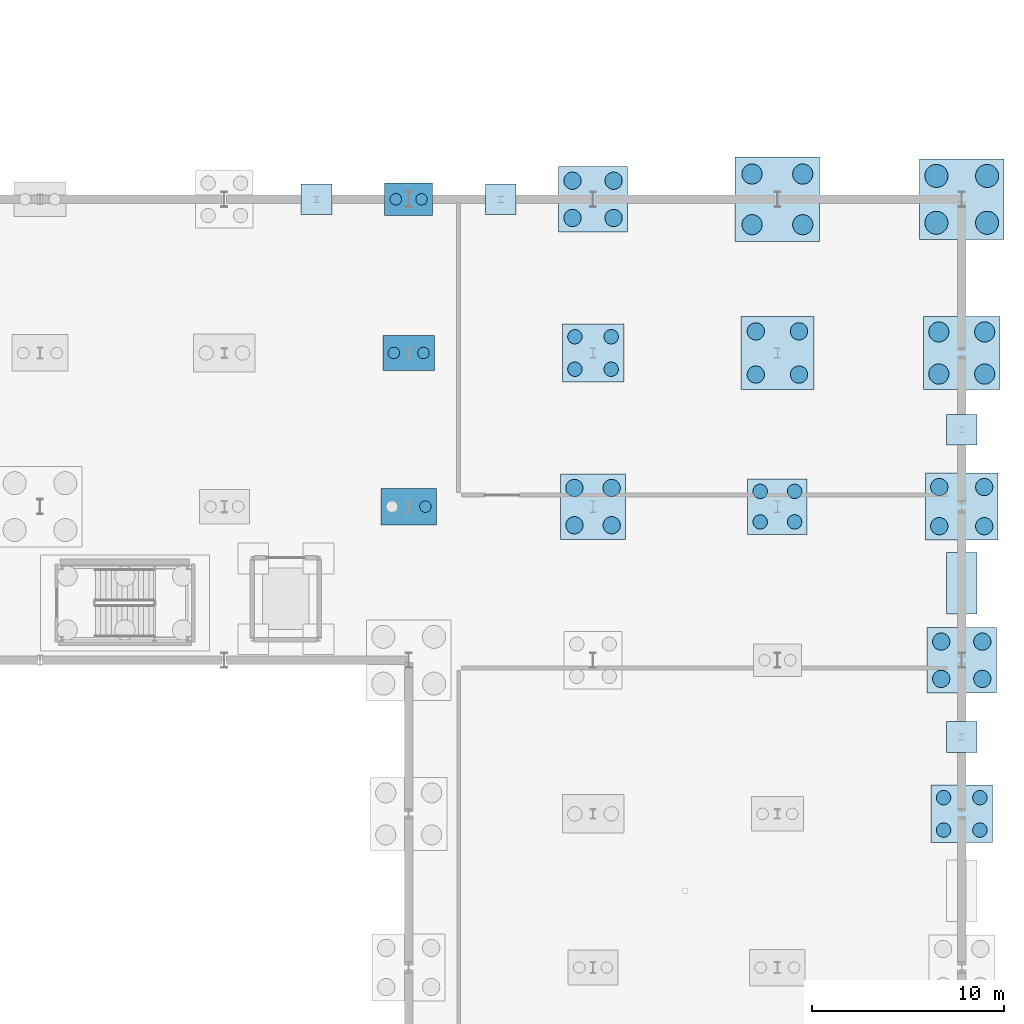
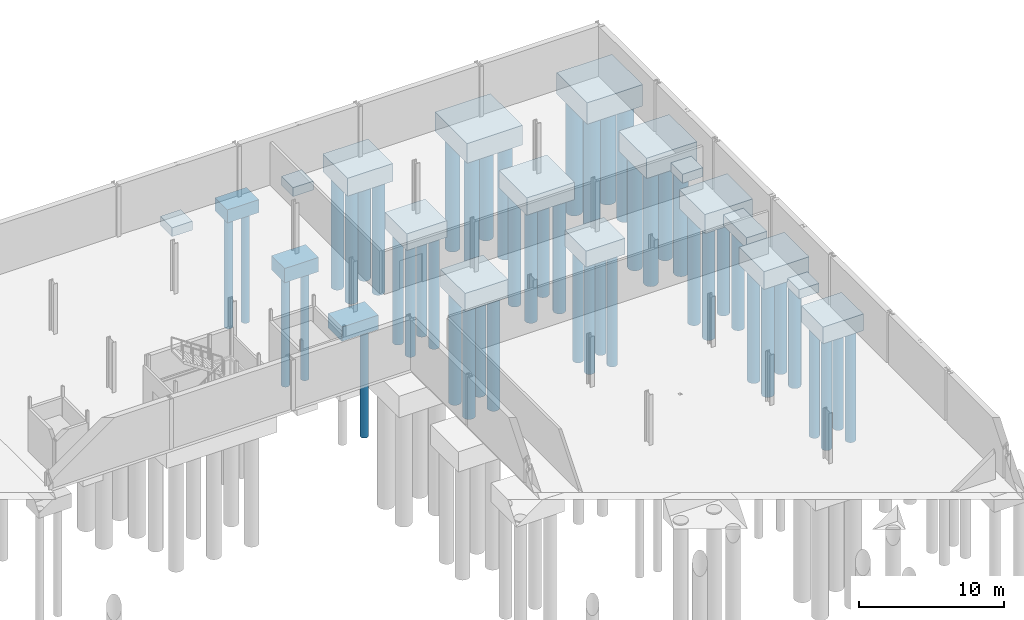
# One storey, part 7 of 47: 49 piles, 19 footings.
"""IFC4 building model written with IfcOpenShell, lengths in metres."""

from ifc_helpers import new_model, si_unit, direction, frame, origin, origin_2d, place, context, subcontext, project, spatial, rectangle, circle, extrude, material, material_profile, profile_set, type_object, element, save


model = new_model("IFC4")

# Units and contexts
model_context = context("Model", 3, precision=1e-05, world=origin(), true_north=direction((0.0, 1.0)))
body_context = subcontext(model_context, "Body", "Model", "MODEL_VIEW")
ifc_project = project(units=[si_unit("LENGTHUNIT", "METRE"), si_unit("AREAUNIT", "SQUARE_METRE"), si_unit("VOLUMEUNIT", "CUBIC_METRE"), si_unit("PLANEANGLEUNIT", "RADIAN"), si_unit("MASSUNIT", "GRAM", prefix="KILO")], contexts=[model_context])

# Site, building, storey
site_placement = place(None, origin())
site = spatial("IfcSite", under=ifc_project, at=site_placement, CompositionType="ELEMENT")
building_placement = place(site_placement, origin())
building = spatial("IfcBuilding", under=site, at=building_placement, Name="Alderhovde Museum", CompositionType="ELEMENT")
storey_placement = place(building_placement, frame((0.0, 0.0, -4.5)))
storey = spatial("IfcBuildingStorey", under=building, at=storey_placement, Name="B1", CompositionType="ELEMENT", Elevation=-4.5)

# Footings
ifc_material_1 = material(Name="Concrete C40/50", Category="concrete")
footing_type_1 = type_object("IfcFootingType", Name="PC-2500x1700x1100", PredefinedType="PILE_CAP", material=ifc_material_1)
footing_1_placement = place(storey_placement, frame((144.0, 96.0, -1.5), z_axis=(0.0, 0.0, 1.0), x_axis=(1.0, 0.0, 0.0)))
element("IfcFooting", 1, at=footing_1_placement, inside=storey, type_object=footing_type_1, Name="Pile Cap at (144.0, 96.0)", PredefinedType="PILE_CAP", context=body_context, shape_type="SweptSolid", body=[
    extrude(rectangle(XDim=2.5, YDim=1.699951171875, at=origin_2d()), origin(), (0.0, 0.0, 1.0), 1.10009765625),
])
ifc_material_2 = material(Name="Concrete C40/50", Category="concrete")
footing_type_2 = type_object("IfcFootingType", Name="PC-2700x1800x1200", PredefinedType="PILE_CAP", material=ifc_material_2)
footing_2_placement = place(storey_placement, frame((144.0, 88.0, -1.60009765625), z_axis=(0.0, 0.0, 1.0), x_axis=(1.0, 0.0, 0.0)))
element("IfcFooting", 2, at=footing_2_placement, inside=storey, type_object=footing_type_2, Name="Pile Cap at (144.0, 88.0)", PredefinedType="PILE_CAP", context=body_context, shape_type="SweptSolid", body=[
    extrude(rectangle(XDim=2.699951171875, YDim=1.800048828125, at=origin_2d()), origin(), (0.0, 0.0, 1.0), 1.199951171875),
])
ifc_material_3 = material(Name="Concrete C40/50", Category="concrete")
footing_type_3 = type_object("IfcFootingType", Name="PC-2900x1900x1200", PredefinedType="PILE_CAP", material=ifc_material_3)
footing_3_placement = place(storey_placement, frame((144.0, 80.0, -1.60009765625), z_axis=(0.0, 0.0, 1.0), x_axis=(1.0, 0.0, 0.0)))
element("IfcFooting", 3, at=footing_3_placement, inside=storey, type_object=footing_type_3, Name="Pile Cap at (144.0, 80.0)", PredefinedType="PILE_CAP", context=body_context, shape_type="SweptSolid", body=[
    extrude(rectangle(XDim=2.89990234375, YDim=1.89990234375, at=origin_2d()), origin(), (0.0, 0.0, 1.0), 1.199951171875),
])
ifc_material_4 = material(Name="Concrete C40/50", Category="concrete")
footing_type_4 = type_object("IfcFootingType", Name="PC-3100x2900x1350", PredefinedType="PILE_CAP", material=ifc_material_4)
footing_4_placement = place(storey_placement, frame((163.199951171875, 80.0, -1.75), z_axis=(0.0, 0.0, 1.0), x_axis=(1.0, 0.0, 0.0)))
element("IfcFooting", 4, at=footing_4_placement, inside=storey, type_object=footing_type_4, Name="Pile Cap at (163.2, 80.0)", PredefinedType="PILE_CAP", context=body_context, shape_type="SweptSolid", body=[
    extrude(rectangle(XDim=3.10009765625, YDim=2.89990234375, at=origin_2d()), origin(), (0.0, 0.0, 1.0), 1.35009765625),
])
ifc_material_5 = material(Name="Concrete C40/50", Category="concrete")
footing_type_5 = type_object("IfcFootingType", Name="PC-3200x3000x1400", PredefinedType="PILE_CAP", material=ifc_material_5)
for number, where, z_axis, x_axis, name in (
    (5, (153.60009765625, 88.0, -1.800048828125), (0.0, 0.0, 1.0), (1.0, 0.0, 0.0), "Pile Cap at (153.6, 88.0)"),
    (6, (172.800048828125, 64.0, -1.800048828125), (0.0, 0.0, 1.0), (1.0, 0.0, 0.0), "Pile Cap at (172.8, 64.0)"),
):
    element("IfcFooting", number, at=place(storey_placement, frame(where, z_axis=z_axis, x_axis=x_axis)), inside=storey, type_object=footing_type_5, Name=name, PredefinedType="PILE_CAP", context=body_context, shape_type="SweptSolid", body=[
        extrude(rectangle(XDim=3.199951171875, YDim=3.0, at=origin_2d()), origin(), (0.0, 0.0, 1.0), 1.39990234375),
    ])
ifc_material_6 = material(Name="Concrete C40/50", Category="concrete")
footing_type_6 = type_object("IfcFootingType", Name="PC-3400x3400x1500", PredefinedType="PILE_CAP", material=ifc_material_6)
footing_5_placement = place(storey_placement, frame((153.60009765625, 80.0, -1.89990234375), z_axis=(0.0, 0.0, 1.0), x_axis=(1.0, 0.0, 0.0)))
element("IfcFooting", 7, at=footing_5_placement, inside=storey, type_object=footing_type_6, Name="Pile Cap at (153.6, 80.0)", PredefinedType="PILE_CAP", context=body_context, shape_type="SweptSolid", body=[
    extrude(rectangle(XDim=3.39990234375, YDim=3.39990234375, at=origin_2d()), origin(), (0.0, 0.0, 1.0), 1.5),
])
ifc_material_7 = material(Name="Concrete C40/50", Category="concrete")
footing_type_7 = type_object("IfcFootingType", Name="PC-3600x3400x1500", PredefinedType="PILE_CAP", material=ifc_material_7)
for number, where, z_axis, x_axis, name in (
    (8, (153.60009765625, 96.0, -1.89990234375), (0.0, 0.0, 1.0), (1.0, 0.0, 0.0), "Pile Cap at (153.6, 96.0)"),
    (9, (172.800048828125, 72.0, -1.89990234375), (0.0, 0.0, 1.0), (1.0, 0.0, 0.0), "Pile Cap at (172.8, 72.0)"),
):
    element("IfcFooting", number, at=place(storey_placement, frame(where, z_axis=z_axis, x_axis=x_axis)), inside=storey, type_object=footing_type_7, Name=name, PredefinedType="PILE_CAP", context=body_context, shape_type="SweptSolid", body=[
        extrude(rectangle(XDim=3.60009765625, YDim=3.39990234375, at=origin_2d()), origin(), (0.0, 0.0, 1.0), 1.5),
    ])
ifc_material_8 = material(Name="Concrete C40/50", Category="concrete")
footing_type_8 = type_object("IfcFootingType", Name="PC-3800x3500x1600", PredefinedType="PILE_CAP", material=ifc_material_8)
footing_6_placement = place(storey_placement, frame((172.800048828125, 80.0, -2.0), z_axis=(0.0, 0.0, 1.0), x_axis=(1.0, 0.0, 0.0)))
element("IfcFooting", 10, at=footing_6_placement, inside=storey, type_object=footing_type_8, Name="Pile Cap at (172.8, 80.0)", PredefinedType="PILE_CAP", context=body_context, shape_type="SweptSolid", body=[
    extrude(rectangle(XDim=3.800048828125, YDim=3.5, at=origin_2d()), origin(), (0.0, 0.0, 1.0), 1.60009765625),
])
ifc_material_9 = material(Name="Concrete C40/50", Category="concrete")
footing_type_9 = type_object("IfcFootingType", Name="PC-3800x3800x1450", PredefinedType="PILE_CAP", material=ifc_material_9)
footing_7_placement = place(storey_placement, frame((163.199951171875, 88.0, -1.85009765625), z_axis=(0.0, 0.0, 1.0), x_axis=(1.0, 0.0, 0.0)))
element("IfcFooting", 11, at=footing_7_placement, inside=storey, type_object=footing_type_9, Name="Pile Cap at (163.2, 88.0)", PredefinedType="PILE_CAP", context=body_context, shape_type="SweptSolid", body=[
    extrude(rectangle(XDim=3.800048828125, YDim=3.800048828125, at=origin_2d()), origin(), (0.0, 0.0, 1.0), 1.449951171875),
])
ifc_material_10 = material(Name="Concrete C40/50", Category="concrete")
footing_type_10 = type_object("IfcFootingType", Name="PC-4000x3800x1700", PredefinedType="PILE_CAP", material=ifc_material_10)
footing_8_placement = place(storey_placement, frame((172.800048828125, 88.0, -2.10009765625), z_axis=(0.0, 0.0, 1.0), x_axis=(1.0, 0.0, 0.0)))
element("IfcFooting", 12, at=footing_8_placement, inside=storey, type_object=footing_type_10, Name="Pile Cap at (172.8, 88.0)", PredefinedType="PILE_CAP", context=body_context, shape_type="SweptSolid", body=[
    extrude(rectangle(XDim=4.0, YDim=3.800048828125, at=origin_2d()), origin(), (0.0, 0.0, 1.0), 1.699951171875),
])
ifc_material_11 = material(Name="Concrete C40/50", Category="concrete")
footing_type_11 = type_object("IfcFootingType", Name="PC-4400x4200x1800", PredefinedType="PILE_CAP", material=ifc_material_11)
footing_9_placement = place(storey_placement, frame((172.800048828125, 96.0, -2.2001953125), z_axis=(0.0, 0.0, 1.0), x_axis=(1.0, 0.0, 0.0)))
element("IfcFooting", 13, at=footing_9_placement, inside=storey, type_object=footing_type_11, Name="Pile Cap at (172.8, 96.0)", PredefinedType="PILE_CAP", context=body_context, shape_type="SweptSolid", body=[
    extrude(rectangle(XDim=4.39990234375, YDim=4.199951171875, at=origin_2d()), origin(), (0.0, 0.0, 1.0), 1.800048828125),
])
ifc_material_12 = material(Name="Concrete C40/50", Category="concrete")
footing_type_12 = type_object("IfcFootingType", Name="PC-4400x4400x1650", PredefinedType="PILE_CAP", material=ifc_material_12)
footing_10_placement = place(storey_placement, frame((163.199951171875, 96.0, -2.050048828125), z_axis=(0.0, 0.0, 1.0), x_axis=(1.0, 0.0, 0.0)))
element("IfcFooting", 14, at=footing_10_placement, inside=storey, type_object=footing_type_12, Name="Pile Cap at (163.2, 96.0)", PredefinedType="PILE_CAP", context=body_context, shape_type="SweptSolid", body=[
    extrude(rectangle(XDim=4.39990234375, YDim=4.39990234375, at=origin_2d()), origin(), (0.0, 0.0, 1.0), 1.64990234375),
])
ifc_material_13 = material(Name="Concrete C40/50", Category="concrete")
footing_type_13 = type_object("IfcFootingType", Name="PF-1600x1600x750", PredefinedType="PAD_FOOTING", material=ifc_material_13)
for number, where, z_axis, x_axis, name in (
    (15, (172.800048828125, 68.0, -1.14990234375), (0.0, 0.0, 1.0), (1.0, 0.0, 0.0), "Pilaster Pad Footing (172.8, 68.0)"),
    (16, (172.800048828125, 84.0, -1.14990234375), (0.0, 0.0, 1.0), (1.0, 0.0, 0.0), "Pilaster Pad Footing (172.8, 84.0)"),
    (17, (139.199951171875, 96.0, -1.14990234375), (0.0, 0.0, 1.0), (1.0, 0.0, 0.0), "Pilaster Pad Footing (139.2, 96.0)"),
    (18, (148.800048828125, 96.0, -1.14990234375), (0.0, 0.0, 1.0), (1.0, 0.0, 0.0), "Pilaster Pad Footing (148.8, 96.0)"),
):
    element("IfcFooting", number, at=place(storey_placement, frame(where, z_axis=z_axis, x_axis=x_axis)), inside=storey, type_object=footing_type_13, Name=name, PredefinedType="PAD_FOOTING", context=body_context, shape_type="SweptSolid", body=[
        extrude(rectangle(XDim=1.60009765625, YDim=1.60009765625, at=origin_2d()), origin(), (0.0, 0.0, 1.0), 0.75),
    ])

# Piles
ifc_material_14 = material(Name="Concrete C40/50", Category="concrete")
ifc_material_profile_1 = material_profile(ifc_material_14, circle(Radius=0.52490234375, at=origin_2d()), Name="PILE-D1050")
ifc_profile_set_1 = profile_set([ifc_material_profile_1], Name="Concrete C40/50")
pile_type_1 = type_object("IfcPileType", Name="PIL-D1050", PredefinedType="BORED", material=ifc_profile_set_1)
for number, where, z_axis, x_axis, name in (
    (19, (161.8798828125, 94.679931640625, -1.949951171875), (0.0, 0.0, -1.0), (1.0, 0.0, 0.0), "Bored Pile PC-1632-0960-P1"),
    (20, (164.52001953125, 94.679931640625, -1.949951171875), (0.0, 0.0, -1.0), (1.0, 0.0, 0.0), "Bored Pile PC-1632-0960-P2"),
    (21, (161.8798828125, 97.320068359375, -1.949951171875), (0.0, 0.0, -1.0), (1.0, 0.0, 0.0), "Bored Pile PC-1632-0960-P3"),
    (22, (164.52001953125, 97.320068359375, -1.949951171875), (0.0, 0.0, -1.0), (1.0, 0.0, 0.0), "Bored Pile PC-1632-0960-P4"),
):
    element("IfcPile", number, at=place(storey_placement, frame(where, z_axis=z_axis, x_axis=x_axis)), inside=storey, type_object=pile_type_1, Name=name, PredefinedType="BORED", context=body_context, shape_type="SweptSolid", body=[
        extrude(circle(Radius=0.52490234375, at=origin_2d()), origin(), (0.0, 0.0, 1.0), 9.625),
    ])
for number, where, z_axis, x_axis, name in (
    (23, (171.60498046875, 86.905029296875, -2.0), (0.0, 0.0, -1.0), (1.0, 0.0, 0.0), "Bored Pile PC-1728-0880-P1"),
    (24, (173.9951171875, 86.905029296875, -2.0), (0.0, 0.0, -1.0), (1.0, 0.0, 0.0), "Bored Pile PC-1728-0880-P2"),
    (25, (171.60498046875, 89.094970703125, -2.0), (0.0, 0.0, -1.0), (1.0, 0.0, 0.0), "Bored Pile PC-1728-0880-P3"),
    (26, (173.9951171875, 89.094970703125, -2.0), (0.0, 0.0, -1.0), (1.0, 0.0, 0.0), "Bored Pile PC-1728-0880-P4"),
):
    element("IfcPile", number, at=place(storey_placement, frame(where, z_axis=z_axis, x_axis=x_axis)), inside=storey, type_object=pile_type_1, Name=name, PredefinedType="BORED", context=body_context, shape_type="SweptSolid", body=[
        extrude(circle(Radius=0.52490234375, at=origin_2d()), origin(), (0.0, 0.0, 1.0), 9.574951171875),
    ])
ifc_material_15 = material(Name="Concrete C40/50", Category="concrete")
ifc_material_profile_2 = material_profile(ifc_material_15, circle(Radius=0.60009765625, at=origin_2d()), Name="PILE-D1200")
ifc_profile_set_2 = profile_set([ifc_material_profile_2], Name="Concrete C40/50")
pile_type_2 = type_object("IfcPileType", Name="PIL-D1200", PredefinedType="BORED", material=ifc_profile_set_2)
for number, where, z_axis, x_axis, name in (
    (27, (171.47998046875, 94.780029296875, -2.10009765625), (0.0, 0.0, -1.0), (1.0, 0.0, 0.0), "Bored Pile PC-1728-0960-P1"),
    (28, (174.1201171875, 94.780029296875, -2.10009765625), (0.0, 0.0, -1.0), (1.0, 0.0, 0.0), "Bored Pile PC-1728-0960-P2"),
    (29, (171.47998046875, 97.219970703125, -2.10009765625), (0.0, 0.0, -1.0), (1.0, 0.0, 0.0), "Bored Pile PC-1728-0960-P3"),
    (30, (174.1201171875, 97.219970703125, -2.10009765625), (0.0, 0.0, -1.0), (1.0, 0.0, 0.0), "Bored Pile PC-1728-0960-P4"),
):
    element("IfcPile", number, at=place(storey_placement, frame(where, z_axis=z_axis, x_axis=x_axis)), inside=storey, type_object=pile_type_2, Name=name, PredefinedType="BORED", context=body_context, shape_type="SweptSolid", body=[
        extrude(circle(Radius=0.60009765625, at=origin_2d()), origin(), (0.0, 0.0, 1.0), 9.699951171875),
    ])
ifc_material_16 = material(Name="Concrete C40/50", Category="concrete")
ifc_material_profile_3 = material_profile(ifc_material_16, circle(Radius=0.300048828125, at=origin_2d()), Name="PILE-D600")
ifc_profile_set_3 = profile_set([ifc_material_profile_3], Name="Concrete C40/50")
pile_type_3 = type_object("IfcPileType", Name="PIL-D600", PredefinedType="BORED", material=ifc_profile_set_3)
for number, where, z_axis, x_axis, name in (
    (31, (144.8701171875, 80.0, -1.5), (0.0, 0.0, -1.0), (1.0, 0.0, 0.0), "Bored Pile PC-1440-0800-P2"),
    (32, (143.22998046875, 88.0, -1.5), (0.0, 0.0, -1.0), (1.0, 0.0, 0.0), "Bored Pile PC-1440-0880-P1"),
    (33, (144.77001953125, 88.0, -1.5), (0.0, 0.0, -1.0), (1.0, 0.0, 0.0), "Bored Pile PC-1440-0880-P2"),
):
    element("IfcPile", number, at=place(storey_placement, frame(where, z_axis=z_axis, x_axis=x_axis)), inside=storey, type_object=pile_type_3, Name=name, PredefinedType="BORED", context=body_context, shape_type="SweptSolid", body=[
        extrude(circle(Radius=0.300048828125, at=origin_2d()), origin(), (0.0, 0.0, 1.0), 9.39990234375),
    ])
for number, where, z_axis, x_axis, name in (
    (34, (143.330078125, 96.0, -1.39990234375), (0.0, 0.0, -1.0), (1.0, 0.0, 0.0), "Bored Pile PC-1440-0960-P1"),
    (35, (144.669921875, 96.0, -1.39990234375), (0.0, 0.0, -1.0), (1.0, 0.0, 0.0), "Bored Pile PC-1440-0960-P2"),
):
    element("IfcPile", number, at=place(storey_placement, frame(where, z_axis=z_axis, x_axis=x_axis)), inside=storey, type_object=pile_type_3, Name=name, PredefinedType="BORED", context=body_context, shape_type="SweptSolid", body=[
        extrude(circle(Radius=0.300048828125, at=origin_2d()), origin(), (0.0, 0.0, 1.0), 9.5),
    ])
ifc_material_17 = material(Name="Concrete C40/50", Category="concrete")
ifc_material_profile_4 = material_profile(ifc_material_17, circle(Radius=0.375, at=origin_2d()), Name="PILE-D750")
ifc_profile_set_4 = profile_set([ifc_material_profile_4], Name="Concrete C40/50")
pile_type_4 = type_object("IfcPileType", Name="PIL-D750", PredefinedType="BORED", material=ifc_profile_set_4)
for number, where, z_axis, x_axis, name in (
    (36, (152.655029296875, 87.155029296875, -1.699951171875), (0.0, 0.0, -1.0), (1.0, 0.0, 0.0), "Bored Pile PC-1536-0880-P1"),
    (37, (154.544921875, 87.155029296875, -1.699951171875), (0.0, 0.0, -1.0), (1.0, 0.0, 0.0), "Bored Pile PC-1536-0880-P2"),
    (38, (152.655029296875, 88.844970703125, -1.699951171875), (0.0, 0.0, -1.0), (1.0, 0.0, 0.0), "Bored Pile PC-1536-0880-P3"),
    (39, (154.544921875, 88.844970703125, -1.699951171875), (0.0, 0.0, -1.0), (1.0, 0.0, 0.0), "Bored Pile PC-1536-0880-P4"),
):
    element("IfcPile", number, at=place(storey_placement, frame(where, z_axis=z_axis, x_axis=x_axis)), inside=storey, type_object=pile_type_4, Name=name, PredefinedType="BORED", context=body_context, shape_type="SweptSolid", body=[
        extrude(circle(Radius=0.375, at=origin_2d()), origin(), (0.0, 0.0, 1.0), 9.425048828125),
    ])
for number, where, z_axis, x_axis, name in (
    (40, (162.304931640625, 79.205078125, -1.64990234375), (0.0, 0.0, -1.0), (1.0, 0.0, 0.0), "Bored Pile PC-1632-0800-P1"),
    (41, (164.094970703125, 79.205078125, -1.64990234375), (0.0, 0.0, -1.0), (1.0, 0.0, 0.0), "Bored Pile PC-1632-0800-P2"),
    (42, (162.304931640625, 80.794921875, -1.64990234375), (0.0, 0.0, -1.0), (1.0, 0.0, 0.0), "Bored Pile PC-1632-0800-P3"),
    (43, (164.094970703125, 80.794921875, -1.64990234375), (0.0, 0.0, -1.0), (1.0, 0.0, 0.0), "Bored Pile PC-1632-0800-P4"),
):
    element("IfcPile", number, at=place(storey_placement, frame(where, z_axis=z_axis, x_axis=x_axis)), inside=storey, type_object=pile_type_4, Name=name, PredefinedType="BORED", context=body_context, shape_type="SweptSolid", body=[
        extrude(circle(Radius=0.375, at=origin_2d()), origin(), (0.0, 0.0, 1.0), 9.47509765625),
    ])
for number, where, z_axis, x_axis, name in (
    (44, (171.85498046875, 63.155029296875, -1.699951171875), (0.0, 0.0, -1.0), (1.0, 0.0, 0.0), "Bored Pile PC-1728-0640-P1"),
    (45, (173.7451171875, 63.155029296875, -1.699951171875), (0.0, 0.0, -1.0), (1.0, 0.0, 0.0), "Bored Pile PC-1728-0640-P2"),
    (46, (171.85498046875, 64.844970703125, -1.699951171875), (0.0, 0.0, -1.0), (1.0, 0.0, 0.0), "Bored Pile PC-1728-0640-P3"),
    (47, (173.7451171875, 64.844970703125, -1.699951171875), (0.0, 0.0, -1.0), (1.0, 0.0, 0.0), "Bored Pile PC-1728-0640-P4"),
):
    element("IfcPile", number, at=place(storey_placement, frame(where, z_axis=z_axis, x_axis=x_axis)), inside=storey, type_object=pile_type_4, Name=name, PredefinedType="BORED", context=body_context, shape_type="SweptSolid", body=[
        extrude(circle(Radius=0.375, at=origin_2d()), origin(), (0.0, 0.0, 1.0), 9.425048828125),
    ])
ifc_material_18 = material(Name="Concrete C40/50", Category="concrete")
ifc_material_profile_5 = material_profile(ifc_material_18, circle(Radius=0.449951171875, at=origin_2d()), Name="PILE-D900")
ifc_profile_set_5 = profile_set([ifc_material_profile_5], Name="Concrete C40/50")
pile_type_5 = type_object("IfcPileType", Name="PIL-D900", PredefinedType="BORED", material=ifc_profile_set_5)
for number, where, z_axis, x_axis, name in (
    (48, (152.6298828125, 79.030029296875, -1.800048828125), (0.0, 0.0, -1.0), (1.0, 0.0, 0.0), "Bored Pile PC-1536-0800-P1"),
    (49, (154.570068359375, 79.030029296875, -1.800048828125), (0.0, 0.0, -1.0), (1.0, 0.0, 0.0), "Bored Pile PC-1536-0800-P2"),
    (50, (152.6298828125, 80.969970703125, -1.800048828125), (0.0, 0.0, -1.0), (1.0, 0.0, 0.0), "Bored Pile PC-1536-0800-P3"),
    (51, (154.570068359375, 80.969970703125, -1.800048828125), (0.0, 0.0, -1.0), (1.0, 0.0, 0.0), "Bored Pile PC-1536-0800-P4"),
    (52, (152.530029296875, 95.030029296875, -1.800048828125), (0.0, 0.0, -1.0), (1.0, 0.0, 0.0), "Bored Pile PC-1536-0960-P1"),
    (53, (154.669921875, 95.030029296875, -1.800048828125), (0.0, 0.0, -1.0), (1.0, 0.0, 0.0), "Bored Pile PC-1536-0960-P2"),
    (54, (152.530029296875, 96.969970703125, -1.800048828125), (0.0, 0.0, -1.0), (1.0, 0.0, 0.0), "Bored Pile PC-1536-0960-P3"),
    (55, (154.669921875, 96.969970703125, -1.800048828125), (0.0, 0.0, -1.0), (1.0, 0.0, 0.0), "Bored Pile PC-1536-0960-P4"),
):
    element("IfcPile", number, at=place(storey_placement, frame(where, z_axis=z_axis, x_axis=x_axis)), inside=storey, type_object=pile_type_5, Name=name, PredefinedType="BORED", context=body_context, shape_type="SweptSolid", body=[
        extrude(circle(Radius=0.449951171875, at=origin_2d()), origin(), (0.0, 0.0, 1.0), 9.550048828125),
    ])
for number, where, z_axis, x_axis, name in (
    (56, (162.074951171875, 86.875, -1.75), (0.0, 0.0, -1.0), (1.0, 0.0, 0.0), "Bored Pile PC-1632-0880-P1"),
    (57, (164.324951171875, 86.875, -1.75), (0.0, 0.0, -1.0), (1.0, 0.0, 0.0), "Bored Pile PC-1632-0880-P2"),
    (58, (162.074951171875, 89.125, -1.75), (0.0, 0.0, -1.0), (1.0, 0.0, 0.0), "Bored Pile PC-1632-0880-P3"),
    (59, (164.324951171875, 89.125, -1.75), (0.0, 0.0, -1.0), (1.0, 0.0, 0.0), "Bored Pile PC-1632-0880-P4"),
):
    element("IfcPile", number, at=place(storey_placement, frame(where, z_axis=z_axis, x_axis=x_axis)), inside=storey, type_object=pile_type_5, Name=name, PredefinedType="BORED", context=body_context, shape_type="SweptSolid", body=[
        extrude(circle(Radius=0.449951171875, at=origin_2d()), origin(), (0.0, 0.0, 1.0), 9.60009765625),
    ])
for number, where, z_axis, x_axis, name in (
    (60, (171.72998046875, 71.030029296875, -1.800048828125), (0.0, 0.0, -1.0), (1.0, 0.0, 0.0), "Bored Pile PC-1728-0720-P1"),
    (61, (173.8701171875, 71.030029296875, -1.800048828125), (0.0, 0.0, -1.0), (1.0, 0.0, 0.0), "Bored Pile PC-1728-0720-P2"),
    (62, (171.72998046875, 72.969970703125, -1.800048828125), (0.0, 0.0, -1.0), (1.0, 0.0, 0.0), "Bored Pile PC-1728-0720-P3"),
    (63, (173.8701171875, 72.969970703125, -1.800048828125), (0.0, 0.0, -1.0), (1.0, 0.0, 0.0), "Bored Pile PC-1728-0720-P4"),
):
    element("IfcPile", number, at=place(storey_placement, frame(where, z_axis=z_axis, x_axis=x_axis)), inside=storey, type_object=pile_type_5, Name=name, PredefinedType="BORED", context=body_context, shape_type="SweptSolid", body=[
        extrude(circle(Radius=0.449951171875, at=origin_2d()), origin(), (0.0, 0.0, 1.0), 9.550048828125),
    ])
for number, where, z_axis, x_axis, name in (
    (64, (171.6298828125, 78.97998046875, -1.89990234375), (0.0, 0.0, -1.0), (1.0, 0.0, 0.0), "Bored Pile PC-1728-0800-P1"),
    (65, (173.969970703125, 78.97998046875, -1.89990234375), (0.0, 0.0, -1.0), (1.0, 0.0, 0.0), "Bored Pile PC-1728-0800-P2"),
    (66, (171.6298828125, 81.02001953125, -1.89990234375), (0.0, 0.0, -1.0), (1.0, 0.0, 0.0), "Bored Pile PC-1728-0800-P3"),
    (67, (173.969970703125, 81.02001953125, -1.89990234375), (0.0, 0.0, -1.0), (1.0, 0.0, 0.0), "Bored Pile PC-1728-0800-P4"),
):
    element("IfcPile", number, at=place(storey_placement, frame(where, z_axis=z_axis, x_axis=x_axis)), inside=storey, type_object=pile_type_5, Name=name, PredefinedType="BORED", context=body_context, shape_type="SweptSolid", body=[
        extrude(circle(Radius=0.449951171875, at=origin_2d()), origin(), (0.0, 0.0, 1.0), 9.449951171875),
    ])

# Footing
ifc_material_19 = material(Name="Concrete C40/50", Category="concrete")
footing_type_14 = type_object("IfcFootingType", Name="SF-RET-1600x900", PredefinedType="STRIP_FOOTING", material=ifc_material_19)
footing_11_placement = place(storey_placement, frame((172.800048828125, 76.0, -1.300048828125), z_axis=(0.0, 0.0, 1.0), x_axis=(1.0, 0.0, 0.0)))
element("IfcFooting", 68, at=footing_11_placement, inside=storey, type_object=footing_type_14, Name="Retaining Strip Footing SF-B1-E3", PredefinedType="STRIP_FOOTING", context=body_context, shape_type="SweptSolid", body=[
    extrude(rectangle(XDim=1.60009765625, YDim=3.199951171875, at=origin_2d()), origin(), (0.0, 0.0, 1.0), 0.89990234375),
])

save(model, "model.ifc")
